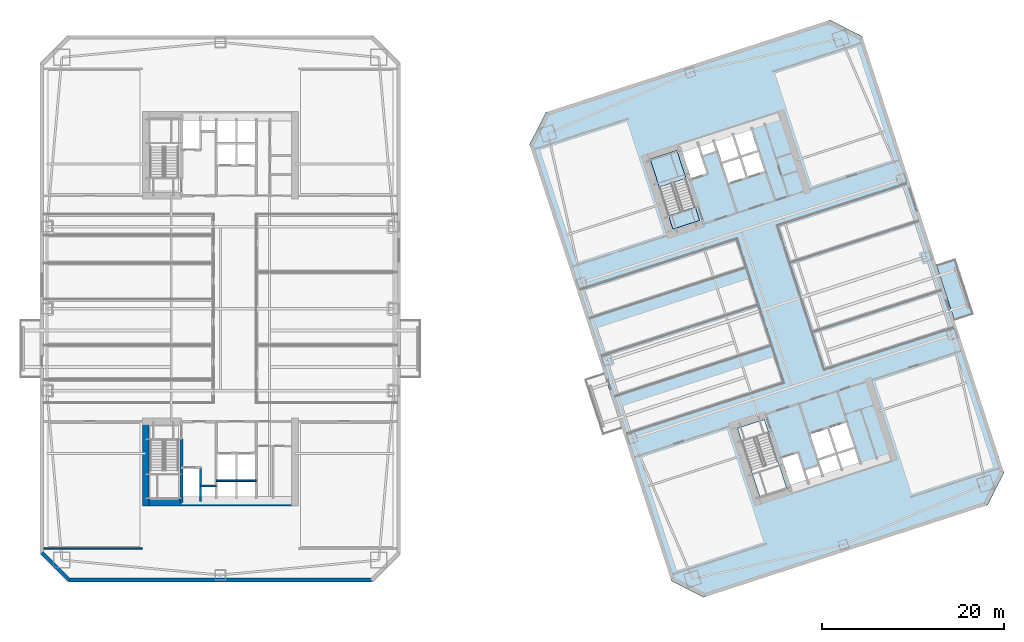
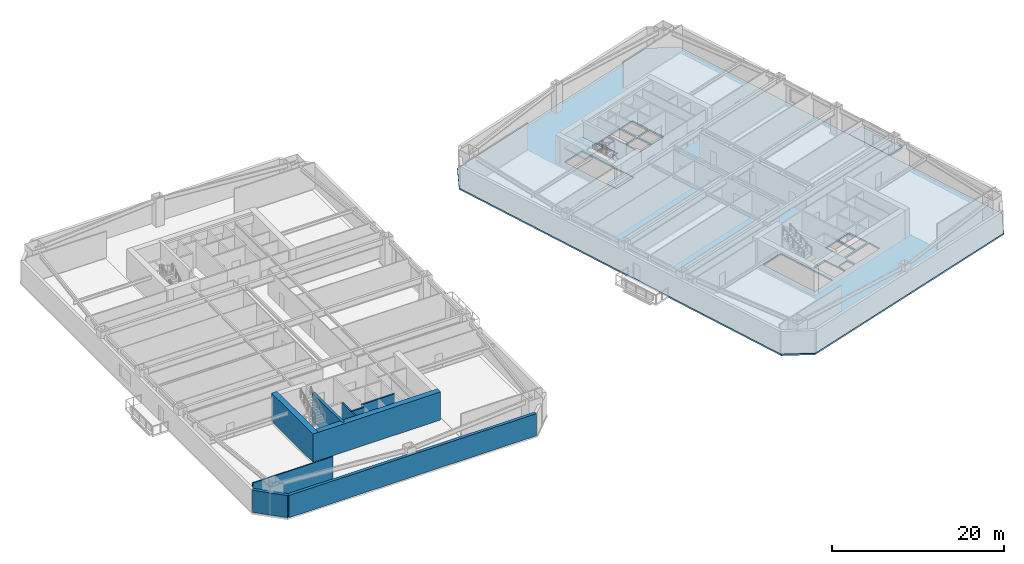
# One storey, part 3 of 18: 9 walls, 4 slabs, 1 element without a shape of its own.
"""IFC4 building model written with IfcOpenShell, lengths in metres."""

from ifc_helpers import new_model, si_unit, direction, frame, frame_2d, origin, place, context, subcontext, project, spatial, polyline, rectangle, outline, extrude, material, layer, layer_set, type_object, element, aggregate, save


model = new_model("IFC4")

# Units and contexts
model_context = context("Model", 3, precision=1e-05, world=origin(), true_north=direction((0.0, 1.0)))
body_context = subcontext(model_context, "Body", "Model", "MODEL_VIEW")
ifc_project = project(units=[si_unit("LENGTHUNIT", "METRE"), si_unit("AREAUNIT", "SQUARE_METRE"), si_unit("VOLUMEUNIT", "CUBIC_METRE"), si_unit("PLANEANGLEUNIT", "RADIAN"), si_unit("MASSUNIT", "GRAM", prefix="KILO")], contexts=[model_context])

# Site, building, storey
site_placement = place(None, origin())
site = spatial("IfcSite", under=ifc_project, at=site_placement, CompositionType="ELEMENT")
building_placement = place(site_placement, origin())
building = spatial("IfcBuilding", under=site, at=building_placement, Name="Qiaolan Cultural Towers", CompositionType="ELEMENT")
storey_placement = place(building_placement, frame((0.0, 0.0, 38.0)))
storey = spatial("IfcBuildingStorey", under=building, at=storey_placement, Name="L08", CompositionType="ELEMENT", Elevation=38.0)

# Slab
ifc_material_1 = material(Name="Concrete C45", Category="concrete")
ifc_layer_1 = layer(ifc_material_1, 0.239990234375)
ifc_layer_set_1 = layer_set([ifc_layer_1], Name="Concrete C45")
slab_type_1 = type_object("IfcSlabType", Name="SL-BAL-240", PredefinedType="FLOOR", material=ifc_layer_set_1)
slab_1_placement = place(storey_placement, frame((0.0, 0.0, -0.239990234375)))
element("IfcSlab", 1, at=slab_1_placement, inside=storey, type_object=slab_type_1, Name="L08 T2 Planted Tree Balcony E", PredefinedType="FLOOR", context=body_context, shape_type="SweptSolid", body=[
    extrude(outline(polyline([(110.60888671875, 32.705078125), (112.701171875, 33.385009765625), (110.723388671875, 39.4716796875), (108.631103515625, 38.791748046875), (110.60888671875, 32.705078125)])), origin(), (0.0, 0.0, 1.0), 0.239990234375),
])

# Stair, slab
ifc_material_2 = material(Name="Concrete C45", Category="concrete")
stair_type = type_object("IfcStairType", Name="STR-CORE-1500", PredefinedType="HALF_TURN_STAIR", material=ifc_material_2)
stair_placement = place(storey_placement, origin())
stair = element("IfcStair", 2, at=stair_placement, inside=storey, type_object=stair_type, Name="L08 Smokeproof Exit Stair ST-E2", PredefinedType="HALF_TURN_STAIR")
ifc_material_3 = material(Name="Concrete C45", Category="concrete")
ifc_layer_2 = layer(ifc_material_3, 0.199951171875)
ifc_layer_set_2 = layer_set([ifc_layer_2], Name="Concrete C45")
slab_type_2 = type_object("IfcSlabType", Name="SL-STAIR-LAND", PredefinedType="LANDING", material=ifc_layer_set_2)
slab_2_placement = place(storey_placement, frame((0.0, 0.0, 1.800048828125)))
slab_2 = element("IfcSlab", 3, at=slab_2_placement, type_object=slab_type_2, Name="ST-E2 landing 1", PredefinedType="LANDING", context=body_context, shape_type="SweptSolid", body=[
    extrude(outline(polyline([(81.124755859375, 48.306396484375), (80.1201171875, 51.3984375), (77.190673828125, 50.44677734375), (78.195556640625, 47.3544921875), (81.124755859375, 48.306396484375)])), origin(), (0.0, 0.0, 1.0), 0.199951171875),
])
aggregate(stair, [slab_2])

# Slabs
ifc_material_4 = material(Name="Concrete C40", Category="concrete")
ifc_layer_3 = layer(ifc_material_4, 0.360107421875)
ifc_layer_set_3 = layer_set([ifc_layer_3], Name="Concrete C40")
slab_type_3 = type_object("IfcSlabType", Name="SL-STFLR-360", PredefinedType="LANDING", material=ifc_layer_set_3)
slab_3_placement = place(storey_placement, frame((0.0, 0.0, -0.360107421875)))
element("IfcSlab", 4, at=slab_3_placement, inside=storey, type_object=slab_type_3, Name="L08 ST-E2 Stair Floor Landing Slab", PredefinedType="LANDING", context=body_context, shape_type="SweptSolid", body=[
    extrude(outline(polyline([(82.62060546875, 43.6962890625), (82.141845703125, 45.169677734375), (79.21630859375, 44.21923828125), (79.695068359375, 42.74560546875), (82.62060546875, 43.6962890625)])), origin(), (0.0, 0.0, 1.0), 0.360107421875),
])
ifc_material_5 = material(Name="Concrete C45", Category="concrete")
ifc_layer_4 = layer(ifc_material_5, 0.219970703125)
ifc_layer_set_4 = layer_set([ifc_layer_4], Name="Concrete C45")
slab_type_4 = type_object("IfcSlabType", Name="SL-TYP-220", PredefinedType="FLOOR", material=ifc_layer_set_4)
slab_4_placement = place(storey_placement, frame((0.0, 0.0, -0.219970703125)))
element("IfcSlab", 5, at=slab_4_placement, inside=storey, type_object=slab_type_4, Name="L08 East Tower Floor Slab", PredefinedType="FLOOR", context=body_context, shape_type="SweptSolid", body=[
    extrude(outline(polyline([(83.05517578125, 2.302490234375), (114.249755859375, 12.438232421875), (116.047607421875, 15.966552734375), (100.47314453125, 63.899658203125), (96.94482421875, 65.697509765625), (65.750244140625, 55.561767578125), (63.952392578125, 52.033447265625), (79.52685546875, 4.100341796875), (83.05517578125, 2.302490234375)]), holes=[polyline([(86.80126953125, 20.868896484375), (89.30419921875, 13.165283203125), (92.2333984375, 14.116943359375), (89.73046875, 21.820556640625), (86.80126953125, 20.868896484375)]), polyline([(82.623046875, 43.69482421875), (80.1201171875, 51.3984375), (77.190673828125, 50.44677734375), (79.69384765625, 42.7431640625), (82.623046875, 43.69482421875)]), polyline([(92.666259765625, 14.468017578125), (94.42578125, 15.03955078125), (93.42138671875, 18.130615234375), (91.661865234375, 17.558837890625), (92.666259765625, 14.468017578125)]), polyline([(94.5908203125, 15.14599609375), (96.027099609375, 15.612548828125), (95.66552734375, 16.725341796875), (94.2294921875, 16.258544921875), (94.5908203125, 15.14599609375)]), polyline([(95.643310546875, 17.5380859375), (97.54541015625, 18.15625), (96.68017578125, 20.819091796875), (94.77783203125, 20.201171875), (95.643310546875, 17.5380859375)]), polyline([(97.735595703125, 18.218017578125), (99.58056640625, 18.8173828125), (98.71533203125, 21.48046875), (96.870361328125, 20.880859375), (97.735595703125, 18.218017578125)]), polyline([(96.245849609375, 15.68359375), (100.18310546875, 16.962890625), (99.6484375, 18.608154296875), (95.711181640625, 17.328857421875), (96.245849609375, 15.68359375)]), polyline([(81.6806640625, 48.278076171875), (83.440185546875, 48.849609375), (82.435791015625, 51.940673828125), (80.67626953125, 51.368896484375), (81.6806640625, 48.278076171875)]), polyline([(82.993408203125, 50.839111328125), (84.4296875, 51.3056640625), (84.068115234375, 52.41845703125), (82.632080078125, 51.95166015625), (82.993408203125, 50.839111328125)]), polyline([(85.810302734375, 47.80078125), (87.71240234375, 48.418701171875), (87.013916015625, 50.568115234375), (85.11181640625, 49.9501953125), (85.810302734375, 47.80078125)]), polyline([(87.902587890625, 48.480712890625), (89.74755859375, 49.080078125), (89.04931640625, 51.2294921875), (87.2041015625, 50.6298828125), (87.902587890625, 48.480712890625)]), polyline([(85.05322265625, 50.130859375), (86.936279296875, 50.74267578125), (86.169921875, 53.101318359375), (84.286865234375, 52.489501953125), (85.05322265625, 50.130859375)]), polyline([(87.1455078125, 50.810791015625), (88.990478515625, 51.41015625), (88.22412109375, 53.768798828125), (86.379150390625, 53.169189453125), (87.1455078125, 50.810791015625)])]), origin(), (0.0, 0.0, 1.0), 0.219970703125),
])

# Walls
ifc_material_6 = material(Name="Concrete C50", Category="concrete")
ifc_layer_5 = layer(ifc_material_6, 0.35009765625)
ifc_layer_set_5 = layer_set([ifc_layer_5], Name="Concrete C50")
wall_type_1 = type_object("IfcWallType", Name="WL-CORE-350", PredefinedType="SHEAR", material=ifc_layer_set_5)
wall_1_placement = place(storey_placement, frame((25.719970703125, 19.699951171875, 0.0), z_axis=(0.0, 0.0, 1.0), x_axis=(0.0, -1.0, 0.0)))
element("IfcWall", 6, at=wall_1_placement, inside=storey, type_object=wall_type_1, Name="L08 T1-CS Stair Core Dividing Web", PredefinedType="SHEAR", context=body_context, shape_type="SweptSolid", body=[
    extrude(rectangle(XDim=6.97998046875, YDim=0.35009765625, at=frame_2d((3.489990234375, 0.0))), origin(), (0.0, 0.0, 1.0), 4.0),
])
ifc_material_7 = material(Name="Concrete C60", Category="concrete")
ifc_layer_6 = layer(ifc_material_7, 0.75)
ifc_layer_set_6 = layer_set([ifc_layer_6], Name="Concrete C60")
wall_type_2 = type_object("IfcWallType", Name="WL-CORE-750", PredefinedType="SHEAR", material=ifc_layer_set_6)
wall_2_placement = place(storey_placement, frame((21.425048828125, 12.719970703125, 0.0), z_axis=(0.0, 0.0, 1.0), x_axis=(1.0, 0.0, 0.0)))
element("IfcWall", 7, at=wall_2_placement, inside=storey, type_object=wall_type_2, Name="L08 T1-CS Outer Core Shear Wall", PredefinedType="SHEAR", context=body_context, shape_type="SweptSolid", body=[
    extrude(rectangle(XDim=17.14990234375, YDim=0.75, at=frame_2d((8.574951171875, 0.0))), origin(), (0.0, 0.0, 1.0), 4.0),
])
wall_3_placement = place(storey_placement, frame((21.800048828125, 21.97509765625, 0.0), z_axis=(0.0, 0.0, 1.0), x_axis=(0.0, -1.0, 0.0)))
element("IfcWall", 8, at=wall_3_placement, inside=storey, type_object=wall_type_2, Name="L08 T1-CS West Core Shear Wall", PredefinedType="SHEAR", context=body_context, shape_type="SweptSolid", body=[
    extrude(rectangle(XDim=9.630126953125, YDim=0.75, at=frame_2d((4.81494140625, 0.0))), origin(), (0.0, 0.0, 1.0), 4.0),
])
ifc_material_8 = material(Name="Precast Concrete C50 Honed Stone Pier", Category="masonry")
ifc_layer_7 = layer(ifc_material_8, 0.39990234375)
ifc_layer_set_7 = layer_set([ifc_layer_7], Name="Precast Concrete C50 Honed Stone Pier")
wall_type_3 = type_object("IfcWallType", Name="WL-EXT-PIER-400", PredefinedType="SOLIDWALL", material=ifc_layer_set_7)
wall_4_placement = place(storey_placement, frame((46.60009765625, 4.199951171875, 0.0), z_axis=(0.0, 0.0, 1.0), x_axis=(-1.0, 0.0, 0.0)))
element("IfcWall", 9, at=wall_4_placement, inside=storey, type_object=wall_type_3, Name="L08 West Tower Precast Pier Facade Wall F7", PredefinedType="SOLIDWALL", context=body_context, shape_type="SweptSolid", body=[
    extrude(rectangle(XDim=33.2001953125, YDim=0.39990234375, at=frame_2d((16.60009765625, 0.0))), origin(), (0.0, 0.0, 1.0), 3.159912109375),
])
wall_5_placement = place(storey_placement, frame((13.39990234375, 4.199951171875, 0.0), z_axis=(0.0, 0.0, 1.0), x_axis=(-0.707106781187, 0.707106781187, 0.0)))
element("IfcWall", 10, at=wall_5_placement, inside=storey, type_object=wall_type_3, Name="L08 West Tower Precast Pier Facade Wall F8", PredefinedType="SOLIDWALL", context=body_context, shape_type="SweptSolid", body=[
    extrude(rectangle(XDim=4.24267578125, YDim=0.39990234375, at=frame_2d((2.121337890625, 0.0))), origin(), (0.0, 0.0, 1.0), 3.159912109375),
])
ifc_material_9 = material(Name="Concrete C35 Fire Wall", Category="concrete")
ifc_layer_8 = layer(ifc_material_9, 0.199951171875)
ifc_layer_set_8 = layer_set([ifc_layer_8], Name="Concrete C35 Fire Wall")
wall_type_4 = type_object("IfcWallType", Name="WL-FIRE-200", PredefinedType="PARTITIONING", material=ifc_layer_set_8)
wall_6_placement = place(storey_placement, frame((27.820068359375, 16.550048828125, 0.0), z_axis=(0.0, 0.0, 1.0), x_axis=(0.0, -1.0, 0.0)))
element("IfcWall", 11, at=wall_6_placement, inside=storey, type_object=wall_type_4, Name="L08 T1-CS Firefighting Hoistway East Wall", PredefinedType="PARTITIONING", context=body_context, shape_type="SweptSolid", body=[
    extrude(rectangle(XDim=3.699951171875, YDim=0.199951171875, at=frame_2d((1.85009765625, 0.0))), origin(), (0.0, 0.0, 1.0), 3.72509765625),
])
wall_7_placement = place(storey_placement, frame((27.820068359375, 14.52001953125, 0.0), z_axis=(0.0, 0.0, 1.0), x_axis=(1.0, 0.0, 0.0)))
element("IfcWall", 12, at=wall_7_placement, inside=storey, type_object=wall_type_4, Name="L08 T1-CS Pressurization Shaft Front Wall", PredefinedType="PARTITIONING", context=body_context, shape_type="SweptSolid", body=[
    extrude(rectangle(XDim=1.72998046875, YDim=0.199951171875, at=frame_2d((0.864990234375, 0.0))), origin(), (0.0, 0.0, 1.0), 3.72509765625),
])
wall_8_placement = place(storey_placement, frame((29.550048828125, 15.10009765625, 0.0), z_axis=(0.0, 0.0, 1.0), x_axis=(1.0, 0.0, 0.0)))
element("IfcWall", 13, at=wall_8_placement, inside=storey, type_object=wall_type_4, Name="L08 T1-CS Passenger Lift Shaft Back Wall", PredefinedType="PARTITIONING", context=body_context, shape_type="SweptSolid", body=[
    extrude(rectangle(XDim=4.39990234375, YDim=0.199951171875, at=frame_2d((2.199951171875, 0.0))), origin(), (0.0, 0.0, 1.0), 3.72509765625),
])
ifc_material_10 = material(Name="Autoclaved Aerated Concrete Block B06", Category="concrete")
ifc_layer_9 = layer(ifc_material_10, 0.14990234375)
ifc_layer_set_9 = layer_set([ifc_layer_9], Name="Autoclaved Aerated Concrete Block B06")
wall_type_5 = type_object("IfcWallType", Name="WL-PART-150", PredefinedType="PARTITIONING", material=ifc_layer_set_9)
wall_9_placement = place(storey_placement, frame((10.60009765625, 7.64990234375, 0.0), z_axis=(0.0, 0.0, 1.0), x_axis=(1.0, 0.0, 0.0)))
element("IfcWall", 14, at=wall_9_placement, inside=storey, type_object=wall_type_5, Name="L08 T1 Flank Wall FLK-SW", PredefinedType="PARTITIONING", context=body_context, shape_type="SweptSolid", body=[
    extrude(rectangle(XDim=10.7998046875, YDim=0.14990234375, at=frame_2d((5.39990234375, 0.0))), origin(), (0.0, 0.0, 1.0), 3.72509765625),
])

save(model, "model.ifc")
